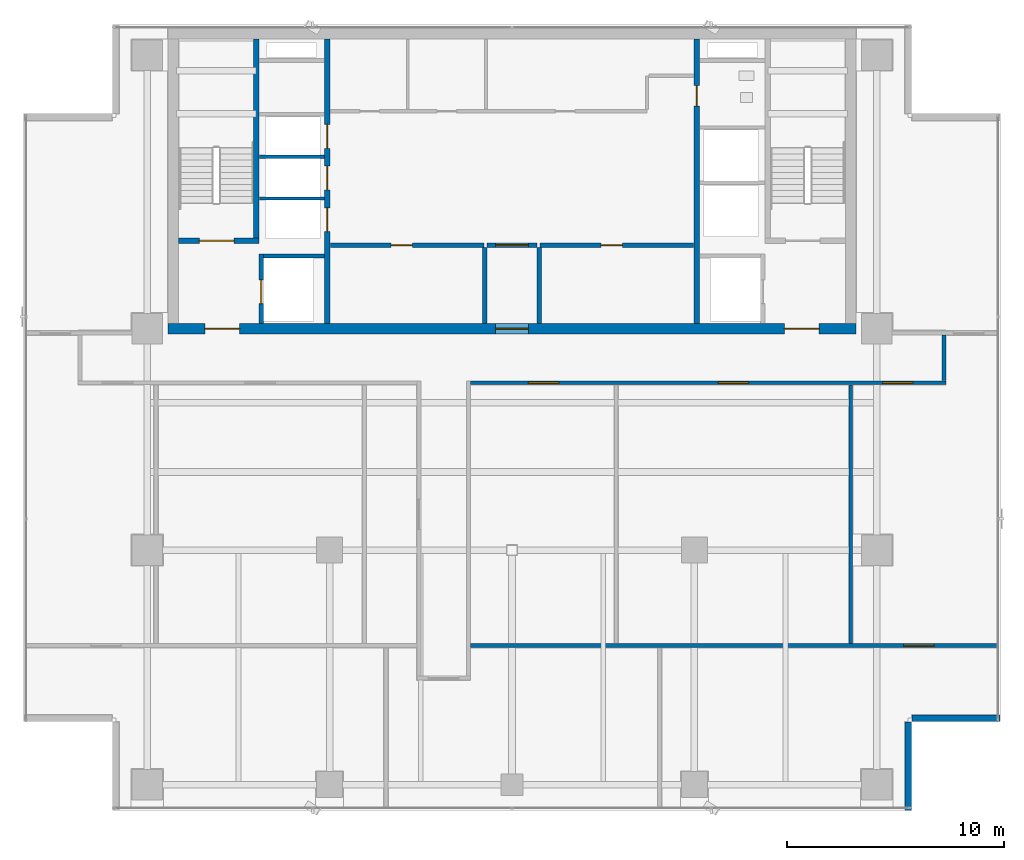
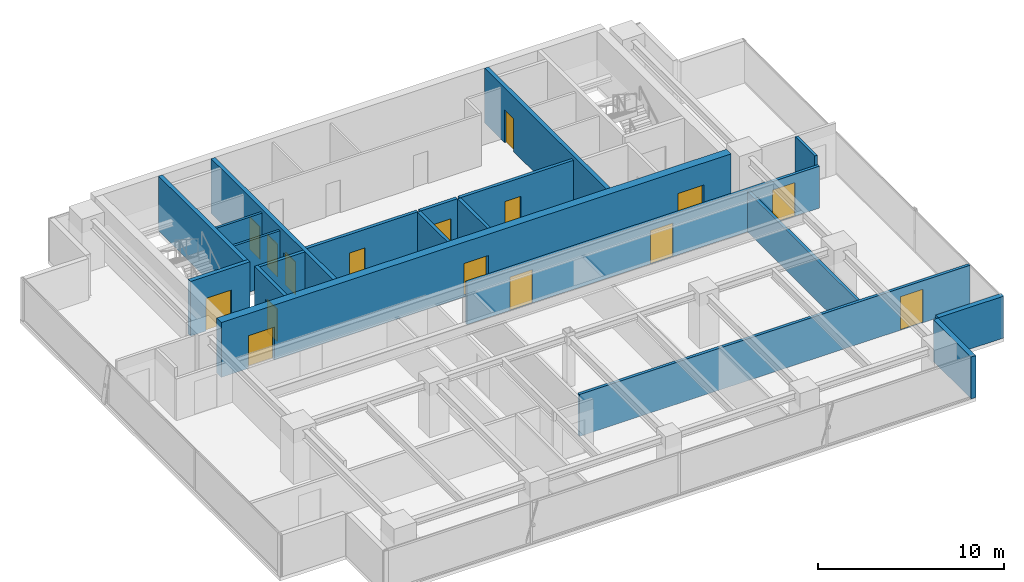
# One storey, part 20 of 26: 20 walls, 16 doors, 16 openings.
"""IFC4 building model written with IfcOpenShell, lengths in metres."""

from ifc_helpers import new_model, si_unit, direction, frame, frame_2d, origin, place, context, subcontext, project, spatial, rectangle, extrude, source, transform, mapped, material, layer, layer_set, type_object, element, fill, save


model = new_model("IFC4")

# Units and contexts
model_context = context("Model", 3, precision=1e-05, world=origin(), true_north=direction((0.0, 1.0)))
body_context = subcontext(model_context, "Body", "Model", "MODEL_VIEW")
ifc_project = project(units=[si_unit("LENGTHUNIT", "METRE"), si_unit("AREAUNIT", "SQUARE_METRE"), si_unit("VOLUMEUNIT", "CUBIC_METRE"), si_unit("PLANEANGLEUNIT", "RADIAN"), si_unit("MASSUNIT", "GRAM", prefix="KILO")], contexts=[model_context])

# Site, building, storey
site_placement = place(None, origin())
site = spatial("IfcSite", under=ifc_project, at=site_placement, CompositionType="ELEMENT")
building_placement = place(site_placement, origin())
building = spatial("IfcBuilding", under=site, at=building_placement, Name="Sumidabori Civic Tower", CompositionType="ELEMENT")
storey_placement = place(building_placement, frame((0.0, 0.0, 264.800048828125)))
storey = spatial("IfcBuildingStorey", under=building, at=storey_placement, Name="L69", CompositionType="ELEMENT", Elevation=264.800048828125)

# Wall
ifc_material_1 = material(Name="Concrete C50/60", Category="concrete")
ifc_layer_1 = layer(ifc_material_1, 0.199951171875, Name="Concrete C50/60")
ifc_layer_set_1 = layer_set([ifc_layer_1], Name="Concrete C50/60")
wall_type_1 = type_object("IfcWallType", Name="WL-SHAFT-200", PredefinedType="SHEAR", material=ifc_layer_set_1)
shared_shape_1 = source(origin(), body_context, "Body", "SweptSolid", [
    extrude(rectangle(XDim=2.824951171875, YDim=0.199951171875, at=frame_2d((1.41259765625, 0.0))), origin(), (0.0, 0.0, 1.0), 3.599853515625),
])
wall_1_placement = place(storey_placement, frame((-11.449951171875, 13.550048828125, 0.0), z_axis=(0.0, 0.0, 1.0), x_axis=(1.0, 0.0, 0.0)))
element("IfcWall", 1, at=wall_1_placement, inside=storey, type_object=wall_type_1, Name="Core Shear Wall L69 EL1-N", PredefinedType="SHEAR", context=body_context, shape_type="MappedRepresentation", body=[
    mapped(shared_shape_1, transform((0.0, 0.0, 0.0), x_axis=(1.0, 0.0, 0.0), y_axis=(0.0, 1.0, 0.0), z_axis=(0.0, 0.0, 1.0), scale=1.0)),
])

# Wall, openings, doors
ifc_layer_2 = layer(ifc_material_1, 0.5, Name="Concrete C50/60")
ifc_layer_set_2 = layer_set([ifc_layer_2], Name="Concrete C50/60")
wall_type_2 = type_object("IfcWallType", Name="WL-CORE-500", PredefinedType="SHEAR", material=ifc_layer_set_2)
shared_shape_2 = source(origin(), body_context, "Body", "SweptSolid", [
    extrude(rectangle(XDim=31.7001953125, YDim=0.5, at=frame_2d((15.85009765625, 0.0))), origin(), (0.0, 0.0, 1.0), 3.599853515625),
])
wall_2_placement = place(storey_placement, frame((-15.85009765625, 10.199951171875, 0.0), z_axis=(0.0, 0.0, 1.0), x_axis=(1.0, 0.0, 0.0)))
wall_2 = element("IfcWall", 2, at=wall_2_placement, inside=storey, type_object=wall_type_2, Name="Core Shear Wall L69 S", PredefinedType="SHEAR", context=body_context, shape_type="MappedRepresentation", body=[
    mapped(shared_shape_2, transform((0.0, 0.0, 0.0), x_axis=(1.0, 0.0, 0.0), y_axis=(0.0, 1.0, 0.0), z_axis=(0.0, 0.0, 1.0), scale=1.0)),
])
opening_1_placement = place(wall_2_placement, frame((1.699951171875, 0.0, 0.0)))
opening_1 = element("IfcOpeningElement", 3, at=opening_1_placement, cuts=wall_2, Name="Opening DR-FD4", PredefinedType="OPENING", context=body_context, shape_type="SweptSolid", body=[
    extrude(rectangle(XDim=1.60009765625, YDim=2.14990234375, at=frame_2d((0.800048828125, 1.074951171875))), frame((0.0, 0.261962890625, 0.0), z_axis=(0.0, -1.0, 0.0), x_axis=(1.0, 0.0, 0.0)), (0.0, 0.0, 1.0), 0.52392578125),
])
opening_2_placement = place(wall_2_placement, frame((28.39990234375, 0.0, 0.0)))
opening_2 = element("IfcOpeningElement", 4, at=opening_2_placement, cuts=wall_2, Name="Opening DR-FD4", PredefinedType="OPENING", context=body_context, shape_type="SweptSolid", body=[
    extrude(rectangle(XDim=1.60009765625, YDim=2.14990234375, at=frame_2d((0.800048828125, 1.074951171875))), frame((0.0, 0.261962890625, 0.0), z_axis=(0.0, -1.0, 0.0), x_axis=(1.0, 0.0, 0.0)), (0.0, 0.0, 1.0), 0.52392578125),
])
opening_3_placement = place(wall_2_placement, frame((15.10009765625, 0.0, 0.0)))
opening_3 = element("IfcOpeningElement", 5, at=opening_3_placement, cuts=wall_2, Name="Opening DR-FD3", PredefinedType="OPENING", context=body_context, shape_type="SweptSolid", body=[
    extrude(rectangle(XDim=1.5, YDim=2.199951171875, at=frame_2d((0.75, 1.10009765625))), frame((0.0, 0.261962890625, 0.0), z_axis=(0.0, -1.0, 0.0), x_axis=(1.0, 0.0, 0.0)), (0.0, 0.0, 1.0), 0.52392578125),
])
ifc_material_2 = material(Name="Steel SN490", Category="steel")
door_type_1 = type_object("IfcDoorType", Name="DR-FD4", OperationType="DOUBLE_DOOR_SINGLE_SWING", PredefinedType="DOOR", material=ifc_material_2)
shared_shape_3 = source(origin(), body_context, "Body", "SweptSolid", [
    extrude(rectangle(XDim=1.60009765625, YDim=2.14990234375, at=frame_2d((0.800048828125, 1.074951171875))), frame((0.0, 0.02490234375, 0.0), z_axis=(0.0, -1.0, 0.0), x_axis=(1.0, 0.0, 0.0)), (0.0, 0.0, 1.0), 0.050048828125),
])
door_1_placement = place(opening_1_placement, origin())
door_1 = element("IfcDoor", 6, at=door_1_placement, inside=storey, type_object=door_type_1, Name="Door DR:L69:ELOB-W", OperationType="DOUBLE_DOOR_SINGLE_SWING", OverallHeight=2.14990234375, OverallWidth=1.60009765625, PredefinedType="DOOR", context=body_context, shape_type="MappedRepresentation", body=[
    mapped(shared_shape_3, transform((0.0, 0.0, 0.0), x_axis=(1.0, 0.0, 0.0), y_axis=(0.0, 1.0, 0.0), z_axis=(0.0, 0.0, 1.0), scale=1.0)),
])
fill(opening_1, door_1)
door_2_placement = place(opening_2_placement, origin())
door_2 = element("IfcDoor", 7, at=door_2_placement, inside=storey, type_object=door_type_1, Name="Door DR:L69:ELOB-E", OperationType="DOUBLE_DOOR_SINGLE_SWING", OverallHeight=2.14990234375, OverallWidth=1.60009765625, PredefinedType="DOOR", context=body_context, shape_type="MappedRepresentation", body=[
    mapped(shared_shape_3, transform((0.0, 0.0, 0.0), x_axis=(1.0, 0.0, 0.0), y_axis=(0.0, 1.0, 0.0), z_axis=(0.0, 0.0, 1.0), scale=1.0)),
])
fill(opening_2, door_2)
door_type_2 = type_object("IfcDoorType", Name="DR-FD-DBL", OperationType="DOUBLE_DOOR_SINGLE_SWING", PredefinedType="DOOR", material=ifc_material_2)
shared_shape_4 = source(origin(), body_context, "Body", "SweptSolid", [
    extrude(rectangle(XDim=1.5, YDim=2.199951171875, at=frame_2d((0.75, 1.10009765625))), frame((0.0, 0.02490234375, 0.0), z_axis=(0.0, -1.0, 0.0), x_axis=(1.0, 0.0, 0.0)), (0.0, 0.0, 1.0), 0.050048828125),
])
door_3_placement = place(opening_3_placement, origin())
door_3 = element("IfcDoor", 8, at=door_3_placement, inside=storey, type_object=door_type_2, Name="Door DR:L69:THROAT-OUT", OperationType="DOUBLE_DOOR_SINGLE_SWING", OverallHeight=2.199951171875, OverallWidth=1.5, PredefinedType="DOOR", context=body_context, shape_type="MappedRepresentation", body=[
    mapped(shared_shape_4, transform((0.0, 0.0, 0.0), x_axis=(1.0, 0.0, 0.0), y_axis=(0.0, 1.0, 0.0), z_axis=(0.0, 0.0, 1.0), scale=1.0)),
])
fill(opening_3, door_3)

ifc_layer_3 = layer(ifc_material_1, 0.25, Name="Concrete C50/60")
ifc_layer_set_3 = layer_set([ifc_layer_3], Name="Concrete C50/60")
wall_type_3 = type_object("IfcWallType", Name="WL-SHAFT-250", PredefinedType="SHEAR", material=ifc_layer_set_3)
shared_shape_5 = source(origin(), body_context, "Body", "SweptSolid", [
    extrude(rectangle(XDim=13.10009765625, YDim=0.25, at=frame_2d((6.550048828125, 0.0))), origin(), (0.0, 0.0, 1.0), 3.599853515625),
])
wall_3_placement = place(storey_placement, frame((-8.5, 10.449951171875, 0.0), z_axis=(0.0, 0.0, 1.0), x_axis=(0.0, 1.0, 0.0)))
wall_3 = element("IfcWall", 9, at=wall_3_placement, inside=storey, type_object=wall_type_3, Name="Core Shear Wall L69 WEB-W", PredefinedType="SHEAR", context=body_context, shape_type="MappedRepresentation", body=[
    mapped(shared_shape_5, transform((0.0, 0.0, 0.0), x_axis=(1.0, 0.0, 0.0), y_axis=(0.0, 1.0, 0.0), z_axis=(0.0, 0.0, 1.0), scale=1.0)),
])
opening_4_placement = place(wall_3_placement, frame((4.219970703125, 0.0, 0.0)))
opening_4 = element("IfcOpeningElement", 10, at=opening_4_placement, cuts=wall_3, Name="Opening LD-1", PredefinedType="OPENING", context=body_context, shape_type="SweptSolid", body=[
    extrude(rectangle(XDim=1.10009765625, YDim=2.14990234375, at=frame_2d((0.550048828125, 1.074951171875))), frame((0.0, 0.136962890625, 0.0), z_axis=(0.0, -1.0, 0.0), x_axis=(1.0, 0.0, 0.0)), (0.0, 0.0, 1.0), 0.27392578125),
])
opening_5_placement = place(wall_3_placement, frame((6.139892578125, 0.0, 0.0)))
opening_5 = element("IfcOpeningElement", 11, at=opening_5_placement, cuts=wall_3, Name="Opening LD-1", PredefinedType="OPENING", context=body_context, shape_type="SweptSolid", body=[
    extrude(rectangle(XDim=1.10009765625, YDim=2.14990234375, at=frame_2d((0.550048828125, 1.074951171875))), frame((0.0, 0.136962890625, 0.0), z_axis=(0.0, -1.0, 0.0), x_axis=(1.0, 0.0, 0.0)), (0.0, 0.0, 1.0), 0.27392578125),
])
opening_6_placement = place(wall_3_placement, frame((8.06005859375, 0.0, 0.0)))
opening_6 = element("IfcOpeningElement", 12, at=opening_6_placement, cuts=wall_3, Name="Opening LD-1", PredefinedType="OPENING", context=body_context, shape_type="SweptSolid", body=[
    extrude(rectangle(XDim=1.10009765625, YDim=2.14990234375, at=frame_2d((0.550048828125, 1.074951171875))), frame((0.0, 0.136962890625, 0.0), z_axis=(0.0, -1.0, 0.0), x_axis=(1.0, 0.0, 0.0)), (0.0, 0.0, 1.0), 0.27392578125),
])
ifc_material_3 = material(Name="Stainless Steel Hairline Finish", Category="steel")
door_type_3 = type_object("IfcDoorType", Name="DR-LD1", OperationType="DOUBLE_DOOR_SLIDING", PredefinedType="DOOR", material=ifc_material_3)
shared_shape_6 = source(origin(), body_context, "Body", "SweptSolid", [
    extrude(rectangle(XDim=1.10009765625, YDim=2.14990234375, at=frame_2d((0.550048828125, 1.074951171875))), frame((0.0, 0.02490234375, 0.0), z_axis=(0.0, -1.0, 0.0), x_axis=(1.0, 0.0, 0.0)), (0.0, 0.0, 1.0), 0.050048828125),
])
door_4_placement = place(opening_4_placement, origin())
door_4 = element("IfcDoor", 13, at=door_4_placement, inside=storey, type_object=door_type_3, Name="Door DR:L69:LD-PLH1", OperationType="DOUBLE_DOOR_SLIDING", OverallHeight=2.14990234375, OverallWidth=1.10009765625, PredefinedType="DOOR", context=body_context, shape_type="MappedRepresentation", body=[
    mapped(shared_shape_6, transform((0.0, 0.0, 0.0), x_axis=(1.0, 0.0, 0.0), y_axis=(0.0, 1.0, 0.0), z_axis=(0.0, 0.0, 1.0), scale=1.0)),
])
fill(opening_4, door_4)
door_5_placement = place(opening_5_placement, origin())
door_5 = element("IfcDoor", 14, at=door_5_placement, inside=storey, type_object=door_type_3, Name="Door DR:L69:LD-PLH2", OperationType="DOUBLE_DOOR_SLIDING", OverallHeight=2.14990234375, OverallWidth=1.10009765625, PredefinedType="DOOR", context=body_context, shape_type="MappedRepresentation", body=[
    mapped(shared_shape_6, transform((0.0, 0.0, 0.0), x_axis=(1.0, 0.0, 0.0), y_axis=(0.0, 1.0, 0.0), z_axis=(0.0, 0.0, 1.0), scale=1.0)),
])
fill(opening_5, door_5)
door_6_placement = place(opening_6_placement, origin())
door_6 = element("IfcDoor", 15, at=door_6_placement, inside=storey, type_object=door_type_3, Name="Door DR:L69:LD-PLH3", OperationType="DOUBLE_DOOR_SLIDING", OverallHeight=2.14990234375, OverallWidth=1.10009765625, PredefinedType="DOOR", context=body_context, shape_type="MappedRepresentation", body=[
    mapped(shared_shape_6, transform((0.0, 0.0, 0.0), x_axis=(1.0, 0.0, 0.0), y_axis=(0.0, 1.0, 0.0), z_axis=(0.0, 0.0, 1.0), scale=1.0)),
])
fill(opening_6, door_6)

# Wall, opening, door
wall_4_placement = place(storey_placement, frame((8.5, 10.449951171875, 0.0), z_axis=(0.0, 0.0, 1.0), x_axis=(0.0, 1.0, 0.0)))
wall_4 = element("IfcWall", 16, at=wall_4_placement, inside=storey, type_object=wall_type_3, Name="Core Shear Wall L69 WEB-E", PredefinedType="SHEAR", context=body_context, shape_type="MappedRepresentation", body=[
    mapped(shared_shape_5, transform((0.0, 0.0, 0.0), x_axis=(1.0, 0.0, 0.0), y_axis=(0.0, 1.0, 0.0), z_axis=(0.0, 0.0, 1.0), scale=1.0)),
])
opening_7_placement = place(wall_4_placement, frame((10.0, 0.0, 0.0)))
opening_7 = element("IfcOpeningElement", 17, at=opening_7_placement, cuts=wall_4, Name="Opening DR-2", PredefinedType="OPENING", context=body_context, shape_type="SweptSolid", body=[
    extrude(rectangle(XDim=0.949951171875, YDim=2.14990234375, at=frame_2d((0.47509765625, 1.074951171875))), frame((0.0, 0.136962890625, 0.0), z_axis=(0.0, -1.0, 0.0), x_axis=(1.0, 0.0, 0.0)), (0.0, 0.0, 1.0), 0.27392578125),
])
ifc_material_4 = material(Name="Japanese Hinoki Timber", Category="wood")
door_type_4 = type_object("IfcDoorType", Name="DR-INT-950", OperationType="NOTDEFINED", PredefinedType="DOOR", material=ifc_material_4)
shared_shape_7 = source(origin(), body_context, "Body", "SweptSolid", [
    extrude(rectangle(XDim=0.949951171875, YDim=2.14990234375, at=frame_2d((0.47509765625, 1.074951171875))), frame((0.0, 0.02490234375, 0.0), z_axis=(0.0, -1.0, 0.0), x_axis=(1.0, 0.0, 0.0)), (0.0, 0.0, 1.0), 0.050048828125),
])
door_7_placement = place(opening_7_placement, origin())
door_7 = element("IfcDoor", 18, at=door_7_placement, inside=storey, type_object=door_type_4, Name="Door DR:L69:WC-ACC", OperationType="SINGLE_SWING_RIGHT", OverallHeight=2.14990234375, OverallWidth=0.949951171875, PredefinedType="DOOR", context=body_context, shape_type="MappedRepresentation", body=[
    mapped(shared_shape_7, transform((0.0, 0.0, 0.0), x_axis=(1.0, 0.0, 0.0), y_axis=(0.0, 1.0, 0.0), z_axis=(0.0, 0.0, 1.0), scale=1.0)),
])
fill(opening_7, door_7)

shared_shape_8 = source(origin(), body_context, "Body", "SweptSolid", [
    extrude(rectangle(XDim=3.705078125, YDim=0.25, at=frame_2d((1.8525390625, 0.0))), origin(), (0.0, 0.0, 1.0), 3.599853515625),
])
wall_5_placement = place(storey_placement, frame((-15.35009765625, 14.25, 0.0), z_axis=(0.0, 0.0, 1.0), x_axis=(1.0, 0.0, 0.0)))
wall_5 = element("IfcWall", 19, at=wall_5_placement, inside=storey, type_object=wall_type_3, Name="Core Shear Wall L69 ST1-S", PredefinedType="SHEAR", context=body_context, shape_type="MappedRepresentation", body=[
    mapped(shared_shape_8, transform((0.0, 0.0, 0.0), x_axis=(1.0, 0.0, 0.0), y_axis=(0.0, 1.0, 0.0), z_axis=(0.0, 0.0, 1.0), scale=1.0)),
])
opening_8_placement = place(wall_5_placement, frame((0.949951171875, 0.0, 0.0)))
opening_8 = element("IfcOpeningElement", 20, at=opening_8_placement, cuts=wall_5, Name="Opening DR-FD4", PredefinedType="OPENING", context=body_context, shape_type="SweptSolid", body=[
    extrude(rectangle(XDim=1.60009765625, YDim=2.14990234375, at=frame_2d((0.800048828125, 1.074951171875))), frame((0.0, 0.136962890625, 0.0), z_axis=(0.0, -1.0, 0.0), x_axis=(1.0, 0.0, 0.0)), (0.0, 0.0, 1.0), 0.27392578125),
])
door_8_placement = place(opening_8_placement, origin())
door_8 = element("IfcDoor", 21, at=door_8_placement, inside=storey, type_object=door_type_1, Name="Door DR:L69:ST1", OperationType="DOUBLE_DOOR_SINGLE_SWING", OverallHeight=2.14990234375, OverallWidth=1.60009765625, PredefinedType="DOOR", context=body_context, shape_type="MappedRepresentation", body=[
    mapped(shared_shape_3, transform((0.0, 0.0, 0.0), x_axis=(1.0, 0.0, 0.0), y_axis=(0.0, 1.0, 0.0), z_axis=(0.0, 0.0, 1.0), scale=1.0)),
])
fill(opening_8, door_8)

# Wall
shared_shape_9 = source(origin(), body_context, "Body", "SweptSolid", [
    extrude(rectangle(XDim=9.175048828125, YDim=0.25, at=frame_2d((4.58740234375, 0.0))), origin(), (0.0, 0.0, 1.0), 3.599853515625),
])
wall_6_placement = place(storey_placement, frame((-11.77001953125, 14.375, 0.0), z_axis=(0.0, 0.0, 1.0), x_axis=(0.0, 1.0, 0.0)))
element("IfcWall", 22, at=wall_6_placement, inside=storey, type_object=wall_type_3, Name="Core Shear Wall L69 ST1-E", PredefinedType="SHEAR", context=body_context, shape_type="MappedRepresentation", body=[
    mapped(shared_shape_9, transform((0.0, 0.0, 0.0), x_axis=(1.0, 0.0, 0.0), y_axis=(0.0, 1.0, 0.0), z_axis=(0.0, 0.0, 1.0), scale=1.0)),
])

# Wall, opening, door
shared_shape_10 = source(origin(), body_context, "Body", "SweptSolid", [
    extrude(rectangle(XDim=3.199951171875, YDim=0.199951171875, at=frame_2d((1.60009765625, 0.0))), origin(), (0.0, 0.0, 1.0), 3.599853515625),
])
wall_7_placement = place(storey_placement, frame((-11.550048828125, 10.449951171875, 0.0), z_axis=(0.0, 0.0, 1.0), x_axis=(0.0, 1.0, 0.0)))
wall_7 = element("IfcWall", 23, at=wall_7_placement, inside=storey, type_object=wall_type_1, Name="Core Shear Wall L69 EL1-W", PredefinedType="SHEAR", context=body_context, shape_type="MappedRepresentation", body=[
    mapped(shared_shape_10, transform((0.0, 0.0, 0.0), x_axis=(1.0, 0.0, 0.0), y_axis=(0.0, 1.0, 0.0), z_axis=(0.0, 0.0, 1.0), scale=1.0)),
])
opening_9_placement = place(wall_7_placement, frame((0.89990234375, 0.0, 0.0)))
opening_9 = element("IfcOpeningElement", 24, at=opening_9_placement, cuts=wall_7, Name="Opening LD-2", PredefinedType="OPENING", context=body_context, shape_type="SweptSolid", body=[
    extrude(rectangle(XDim=1.10009765625, YDim=2.14990234375, at=frame_2d((0.550048828125, 1.074951171875))), frame((0.0, 0.11181640625, 0.0), z_axis=(0.0, -1.0, 0.0), x_axis=(1.0, 0.0, 0.0)), (0.0, 0.0, 1.0), 0.223876953125),
])
door_type_5 = type_object("IfcDoorType", Name="DR-LD2", OperationType="DOUBLE_DOOR_SLIDING", PredefinedType="DOOR", material=ifc_material_3)
door_9_placement = place(opening_9_placement, origin())
door_9 = element("IfcDoor", 25, at=door_9_placement, inside=storey, type_object=door_type_5, Name="Door DR:L69:LD-EL1", OperationType="DOUBLE_DOOR_SLIDING", OverallHeight=2.14990234375, OverallWidth=1.10009765625, PredefinedType="DOOR", context=body_context, shape_type="MappedRepresentation", body=[
    mapped(shared_shape_6, transform((0.0, 0.0, 0.0), x_axis=(1.0, 0.0, 0.0), y_axis=(0.0, 1.0, 0.0), z_axis=(0.0, 0.0, 1.0), scale=1.0)),
])
fill(opening_9, door_9)

# Walls
ifc_material_5 = material(Name="Precast concrete C40/50", Category="concrete")
ifc_layer_4 = layer(ifc_material_5, 0.300048828125, Name="Precast concrete C40/50")
ifc_layer_set_4 = layer_set([ifc_layer_4], Name="Precast concrete C40/50")
wall_type_4 = type_object("IfcWallType", Name="WL-EXT-POD300", PredefinedType="STANDARD", material=ifc_layer_set_4)
shared_shape_11 = source(origin(), body_context, "Body", "SweptSolid", [
    extrude(rectangle(XDim=4.06005859375, YDim=0.300048828125, at=frame_2d((2.030029296875, 0.0))), origin(), (0.0, 0.0, 1.0), 2.75),
])
for number, where, z_axis, x_axis, name in (
    (26, (18.25, -11.97998046875, 0.0), (0.0, 0.0, 1.0), (0.0, 1.0, 0.0), "Notched Corner Spandrel Band L69-02"),
    (27, (18.419921875, -7.75, 0.0), (0.0, 0.0, 1.0), (1.0, 0.0, 0.0), "Notched Corner Spandrel Band L69-03"),
):
    element("IfcWall", number, at=place(storey_placement, frame(where, z_axis=z_axis, x_axis=x_axis)), inside=storey, type_object=wall_type_4, Name=name, PredefinedType="STANDARD", context=body_context, shape_type="MappedRepresentation", body=[
        mapped(shared_shape_11, transform((0.0, 0.0, 0.0), x_axis=(1.0, 0.0, 0.0), y_axis=(0.0, 1.0, 0.0), z_axis=(0.0, 0.0, 1.0), scale=1.0)),
    ])
ifc_material_6 = material(Name="Gypsum Plasterboard Acoustic Partition")
ifc_layer_5 = layer(ifc_material_6, 0.14990234375, Name="Gypsum Plasterboard Acoustic Partition")
ifc_layer_set_5 = layer_set([ifc_layer_5], Name="Gypsum Plasterboard Acoustic Partition")
wall_type_5 = type_object("IfcWallType", Name="WL-PART-150", PredefinedType="PARTITIONING", material=ifc_layer_set_5)
shared_shape_12 = source(origin(), body_context, "Body", "SweptSolid", [
    extrude(rectangle(XDim=3.010009765625, YDim=0.14990234375, at=frame_2d((1.5048828125, 0.0))), origin(), (0.0, 0.0, 1.0), 3.369873046875),
])
for number, where, z_axis, x_axis, name in (
    (28, (-11.639892578125, 16.199951171875, 0.0), (0.0, 0.0, 1.0), (1.0, 0.0, 0.0), "Interior Partition WL:L69:DIV-PLH1"),
    (29, (-11.639892578125, 18.1201171875, 0.0), (0.0, 0.0, 1.0), (1.0, 0.0, 0.0), "Interior Partition WL:L69:DIV-PLH2"),
):
    element("IfcWall", number, at=place(storey_placement, frame(where, z_axis=z_axis, x_axis=x_axis)), inside=storey, type_object=wall_type_5, Name=name, PredefinedType="PARTITIONING", context=body_context, shape_type="MappedRepresentation", body=[
        mapped(shared_shape_12, transform((0.0, 0.0, 0.0), x_axis=(1.0, 0.0, 0.0), y_axis=(0.0, 1.0, 0.0), z_axis=(0.0, 0.0, 1.0), scale=1.0)),
    ])

# Wall, opening, door
ifc_material_7 = material(Name="Gypsum Plasterboard Fire Partition")
ifc_layer_6 = layer(ifc_material_7, 0.199951171875, Name="Gypsum Plasterboard Fire Partition")
ifc_layer_set_6 = layer_set([ifc_layer_6], Name="Gypsum Plasterboard Fire Partition")
wall_type_6 = type_object("IfcWallType", Name="WL-PART-FIRE", PredefinedType="PARTITIONING", material=ifc_layer_set_6)
shared_shape_13 = source(origin(), body_context, "Body", "SweptSolid", [
    extrude(rectangle(XDim=7.070068359375, YDim=0.199951171875, at=frame_2d((3.53515625, 0.0))), origin(), (0.0, 0.0, 1.0), 3.369873046875),
])
wall_8_placement = place(storey_placement, frame((-8.3701171875, 14.050048828125, 0.0), z_axis=(0.0, 0.0, 1.0), x_axis=(1.0, 0.0, 0.0)))
wall_8 = element("IfcWall", 30, at=wall_8_placement, inside=storey, type_object=wall_type_6, Name="Interior Partition WL:L69:CBAND-SW", PredefinedType="PARTITIONING", context=body_context, shape_type="MappedRepresentation", body=[
    mapped(shared_shape_13, transform((0.0, 0.0, 0.0), x_axis=(1.0, 0.0, 0.0), y_axis=(0.0, 1.0, 0.0), z_axis=(0.0, 0.0, 1.0), scale=1.0)),
])
opening_10_placement = place(wall_8_placement, frame((2.800048828125, 0.0, 0.0)))
opening_10 = element("IfcOpeningElement", 31, at=opening_10_placement, cuts=wall_8, Name="Opening DR-3", PredefinedType="OPENING", context=body_context, shape_type="SweptSolid", body=[
    extrude(rectangle(XDim=0.97998046875, YDim=2.14990234375, at=frame_2d((0.489990234375, 1.074951171875))), frame((0.0, 0.11181640625, 0.0), z_axis=(0.0, -1.0, 0.0), x_axis=(1.0, 0.0, 0.0)), (0.0, 0.0, 1.0), 0.223876953125),
])
door_type_6 = type_object("IfcDoorType", Name="DR-INT-980", OperationType="NOTDEFINED", PredefinedType="DOOR", material=ifc_material_4)
shared_shape_14 = source(origin(), body_context, "Body", "SweptSolid", [
    extrude(rectangle(XDim=0.97998046875, YDim=2.14990234375, at=frame_2d((0.489990234375, 1.074951171875))), frame((0.0, 0.02490234375, 0.0), z_axis=(0.0, -1.0, 0.0), x_axis=(1.0, 0.0, 0.0)), (0.0, 0.0, 1.0), 0.050048828125),
])
door_10_placement = place(opening_10_placement, origin())
door_10 = element("IfcDoor", 32, at=door_10_placement, inside=storey, type_object=door_type_6, Name="Door DR:L69:REC-B1", OperationType="SINGLE_SWING_LEFT", OverallHeight=2.14990234375, OverallWidth=0.97998046875, PredefinedType="DOOR", context=body_context, shape_type="MappedRepresentation", body=[
    mapped(shared_shape_14, transform((0.0, 0.0, 0.0), x_axis=(1.0, 0.0, 0.0), y_axis=(0.0, 1.0, 0.0), z_axis=(0.0, 0.0, 1.0), scale=1.0)),
])
fill(opening_10, door_10)

wall_9_placement = place(storey_placement, frame((1.300048828125, 14.050048828125, 0.0), z_axis=(0.0, 0.0, 1.0), x_axis=(1.0, 0.0, 0.0)))
wall_9 = element("IfcWall", 33, at=wall_9_placement, inside=storey, type_object=wall_type_6, Name="Interior Partition WL:L69:CBAND-SE", PredefinedType="PARTITIONING", context=body_context, shape_type="MappedRepresentation", body=[
    mapped(shared_shape_13, transform((0.0, 0.0, 0.0), x_axis=(1.0, 0.0, 0.0), y_axis=(0.0, 1.0, 0.0), z_axis=(0.0, 0.0, 1.0), scale=1.0)),
])
opening_11_placement = place(wall_9_placement, frame((2.800048828125, 0.0, 0.0)))
opening_11 = element("IfcOpeningElement", 34, at=opening_11_placement, cuts=wall_9, Name="Opening DR-3", PredefinedType="OPENING", context=body_context, shape_type="SweptSolid", body=[
    extrude(rectangle(XDim=0.97998046875, YDim=2.14990234375, at=frame_2d((0.489990234375, 1.074951171875))), frame((0.0, 0.11181640625, 0.0), z_axis=(0.0, -1.0, 0.0), x_axis=(1.0, 0.0, 0.0)), (0.0, 0.0, 1.0), 0.223876953125),
])
door_11_placement = place(opening_11_placement, origin())
door_11 = element("IfcDoor", 35, at=door_11_placement, inside=storey, type_object=door_type_6, Name="Door DR:L69:REC-B2", OperationType="SINGLE_SWING_RIGHT", OverallHeight=2.14990234375, OverallWidth=0.97998046875, PredefinedType="DOOR", context=body_context, shape_type="MappedRepresentation", body=[
    mapped(shared_shape_14, transform((0.0, 0.0, 0.0), x_axis=(1.0, 0.0, 0.0), y_axis=(0.0, 1.0, 0.0), z_axis=(0.0, 0.0, 1.0), scale=1.0)),
])
fill(opening_11, door_11)

# Walls
shared_shape_15 = source(origin(), body_context, "Body", "SweptSolid", [
    extrude(rectangle(XDim=3.489990234375, YDim=0.199951171875, at=frame_2d((1.7451171875, 0.0))), origin(), (0.0, 0.0, 1.0), 3.369873046875),
])
for number, where, z_axis, x_axis, name in (
    (36, (-1.25, 10.449951171875, 0.0), (0.0, 0.0, 1.0), (0.0, 1.0, 0.0), "Interior Partition WL:L69:THROAT-W"),
    (37, (1.25, 10.449951171875, 0.0), (0.0, 0.0, 1.0), (0.0, 1.0, 0.0), "Interior Partition WL:L69:THROAT-E"),
):
    element("IfcWall", number, at=place(storey_placement, frame(where, z_axis=z_axis, x_axis=x_axis)), inside=storey, type_object=wall_type_6, Name=name, PredefinedType="PARTITIONING", context=body_context, shape_type="MappedRepresentation", body=[
        mapped(shared_shape_15, transform((0.0, 0.0, 0.0), x_axis=(1.0, 0.0, 0.0), y_axis=(0.0, 1.0, 0.0), z_axis=(0.0, 0.0, 1.0), scale=1.0)),
    ])

# Wall, opening, door
shared_shape_16 = source(origin(), body_context, "Body", "SweptSolid", [
    extrude(rectangle(XDim=2.2998046875, YDim=0.199951171875, at=frame_2d((1.14990234375, 0.0))), origin(), (0.0, 0.0, 1.0), 3.369873046875),
])
wall_10_placement = place(storey_placement, frame((-1.14990234375, 14.050048828125, 0.0), z_axis=(0.0, 0.0, 1.0), x_axis=(1.0, 0.0, 0.0)))
wall_10 = element("IfcWall", 38, at=wall_10_placement, inside=storey, type_object=wall_type_6, Name="Interior Partition WL:L69:THROAT-N", PredefinedType="PARTITIONING", context=body_context, shape_type="MappedRepresentation", body=[
    mapped(shared_shape_16, transform((0.0, 0.0, 0.0), x_axis=(1.0, 0.0, 0.0), y_axis=(0.0, 1.0, 0.0), z_axis=(0.0, 0.0, 1.0), scale=1.0)),
])
opening_12_placement = place(wall_10_placement, frame((0.39990234375, 0.0, 0.0)))
opening_12 = element("IfcOpeningElement", 39, at=opening_12_placement, cuts=wall_10, Name="Opening DR-FD3", PredefinedType="OPENING", context=body_context, shape_type="SweptSolid", body=[
    extrude(rectangle(XDim=1.5, YDim=2.199951171875, at=frame_2d((0.75, 1.10009765625))), frame((0.0, 0.11181640625, 0.0), z_axis=(0.0, -1.0, 0.0), x_axis=(1.0, 0.0, 0.0)), (0.0, 0.0, 1.0), 0.223876953125),
])
door_12_placement = place(opening_12_placement, origin())
door_12 = element("IfcDoor", 40, at=door_12_placement, inside=storey, type_object=door_type_2, Name="Door DR:L69:THROAT-IN", OperationType="DOUBLE_DOOR_SINGLE_SWING", OverallHeight=2.199951171875, OverallWidth=1.5, PredefinedType="DOOR", context=body_context, shape_type="MappedRepresentation", body=[
    mapped(shared_shape_4, transform((0.0, 0.0, 0.0), x_axis=(1.0, 0.0, 0.0), y_axis=(0.0, 1.0, 0.0), z_axis=(0.0, 0.0, 1.0), scale=1.0)),
])
fill(opening_12, door_12)

# Wall, openings, doors
ifc_layer_7 = layer(ifc_material_6, 0.179931640625, Name="Gypsum Plasterboard Acoustic Partition")
ifc_layer_set_7 = layer_set([ifc_layer_7], Name="Gypsum Plasterboard Acoustic Partition")
wall_type_7 = type_object("IfcWallType", Name="WL-PART-180", PredefinedType="PARTITIONING", material=ifc_layer_set_7)
shared_shape_17 = source(origin(), body_context, "Body", "SweptSolid", [
    extrude(rectangle(XDim=21.89990234375, YDim=0.179931640625, at=frame_2d((10.949951171875, 0.0))), origin(), (0.0, 0.0, 1.0), 2.7548828125),
])
wall_11_placement = place(storey_placement, frame((-1.919921875, 7.7099609375, 0.0), z_axis=(0.0, 0.0, 1.0), x_axis=(1.0, 0.0, 0.0)))
wall_11 = element("IfcWall", 41, at=wall_11_placement, inside=storey, type_object=wall_type_7, Name="Interior Partition WL:L69:CORR-SE", PredefinedType="PARTITIONING", context=body_context, shape_type="MappedRepresentation", body=[
    mapped(shared_shape_17, transform((0.0, 0.0, 0.0), x_axis=(1.0, 0.0, 0.0), y_axis=(0.0, 1.0, 0.0), z_axis=(0.0, 0.0, 1.0), scale=1.0)),
])
opening_13_placement = place(wall_11_placement, frame((18.985107421875, 0.0, 0.0)))
opening_13 = element("IfcOpeningElement", 42, at=opening_13_placement, cuts=wall_11, Name="Opening DR-5", PredefinedType="OPENING", context=body_context, shape_type="SweptSolid", body=[
    extrude(rectangle(XDim=1.39990234375, YDim=2.199951171875, at=frame_2d((0.699951171875, 1.10009765625))), frame((0.0, 0.10205078125, 0.0), z_axis=(0.0, -1.0, 0.0), x_axis=(1.0, 0.0, 0.0)), (0.0, 0.0, 1.0), 0.203857421875),
])
opening_14_placement = place(wall_11_placement, frame((2.675048828125, 0.0, 0.0)))
opening_14 = element("IfcOpeningElement", 43, at=opening_14_placement, cuts=wall_11, Name="Opening DR-5", PredefinedType="OPENING", context=body_context, shape_type="SweptSolid", body=[
    extrude(rectangle(XDim=1.39990234375, YDim=2.199951171875, at=frame_2d((0.699951171875, 1.10009765625))), frame((0.0, 0.10205078125, 0.0), z_axis=(0.0, -1.0, 0.0), x_axis=(1.0, 0.0, 0.0)), (0.0, 0.0, 1.0), 0.203857421875),
])
opening_15_placement = place(wall_11_placement, frame((11.419921875, 0.0, 0.0)))
opening_15 = element("IfcOpeningElement", 44, at=opening_15_placement, cuts=wall_11, Name="Opening DR-5", PredefinedType="OPENING", context=body_context, shape_type="SweptSolid", body=[
    extrude(rectangle(XDim=1.39990234375, YDim=2.199951171875, at=frame_2d((0.699951171875, 1.10009765625))), frame((0.0, 0.10205078125, 0.0), z_axis=(0.0, -1.0, 0.0), x_axis=(1.0, 0.0, 0.0)), (0.0, 0.0, 1.0), 0.203857421875),
])
ifc_material_8 = material(Name="Anodised Bronze Aluminium AW-6063-T6", Category="aluminium")
door_type_7 = type_object("IfcDoorType", Name="DR-DBL-1400", OperationType="DOUBLE_DOOR_SINGLE_SWING", PredefinedType="DOOR", material=ifc_material_8)
shared_shape_18 = source(origin(), body_context, "Body", "SweptSolid", [
    extrude(rectangle(XDim=1.39990234375, YDim=2.199951171875, at=frame_2d((0.699951171875, 1.10009765625))), frame((0.0, 0.02490234375, 0.0), z_axis=(0.0, -1.0, 0.0), x_axis=(1.0, 0.0, 0.0)), (0.0, 0.0, 1.0), 0.050048828125),
])
door_13_placement = place(opening_13_placement, origin())
door_13 = element("IfcDoor", 45, at=door_13_placement, inside=storey, type_object=door_type_7, Name="Door DR:L69:D02", OperationType="DOUBLE_DOOR_SINGLE_SWING", OverallHeight=2.199951171875, OverallWidth=1.39990234375, PredefinedType="DOOR", context=body_context, shape_type="MappedRepresentation", body=[
    mapped(shared_shape_18, transform((0.0, 0.0, 0.0), x_axis=(1.0, 0.0, 0.0), y_axis=(0.0, 1.0, 0.0), z_axis=(0.0, 0.0, 1.0), scale=1.0)),
])
fill(opening_13, door_13)
door_14_placement = place(opening_14_placement, origin())
door_14 = element("IfcDoor", 46, at=door_14_placement, inside=storey, type_object=door_type_7, Name="Door DR:L69:D05", OperationType="DOUBLE_DOOR_SINGLE_SWING", OverallHeight=2.199951171875, OverallWidth=1.39990234375, PredefinedType="DOOR", context=body_context, shape_type="MappedRepresentation", body=[
    mapped(shared_shape_18, transform((0.0, 0.0, 0.0), x_axis=(1.0, 0.0, 0.0), y_axis=(0.0, 1.0, 0.0), z_axis=(0.0, 0.0, 1.0), scale=1.0)),
])
fill(opening_14, door_14)
door_15_placement = place(opening_15_placement, origin())
door_15 = element("IfcDoor", 47, at=door_15_placement, inside=storey, type_object=door_type_7, Name="Door DR:L69:D06", OperationType="DOUBLE_DOOR_SINGLE_SWING", OverallHeight=2.199951171875, OverallWidth=1.39990234375, PredefinedType="DOOR", context=body_context, shape_type="MappedRepresentation", body=[
    mapped(shared_shape_18, transform((0.0, 0.0, 0.0), x_axis=(1.0, 0.0, 0.0), y_axis=(0.0, 1.0, 0.0), z_axis=(0.0, 0.0, 1.0), scale=1.0)),
])
fill(opening_15, door_15)

# Wall
shared_shape_19 = source(origin(), body_context, "Body", "SweptSolid", [
    extrude(rectangle(XDim=2.10009765625, YDim=0.179931640625, at=frame_2d((1.050048828125, 0.0))), origin(), (0.0, 0.0, 1.0), 3.369873046875),
])
wall_12_placement = place(storey_placement, frame((19.889892578125, 7.804931640625, 0.0), z_axis=(0.0, 0.0, 1.0), x_axis=(0.0, 1.0, 0.0)))
element("IfcWall", 48, at=wall_12_placement, inside=storey, type_object=wall_type_7, Name="Interior Partition WL:L69:CORR-VNE", PredefinedType="PARTITIONING", context=body_context, shape_type="MappedRepresentation", body=[
    mapped(shared_shape_19, transform((0.0, 0.0, 0.0), x_axis=(1.0, 0.0, 0.0), y_axis=(0.0, 1.0, 0.0), z_axis=(0.0, 0.0, 1.0), scale=1.0)),
])

# Wall, opening, door
shared_shape_20 = source(origin(), body_context, "Body", "SweptSolid", [
    extrude(rectangle(XDim=24.26513671875, YDim=0.179931640625, at=frame_2d((12.132568359375, 0.0))), origin(), (0.0, 0.0, 1.0), 2.7548828125),
])
wall_13_placement = place(storey_placement, frame((-1.9150390625, -4.39990234375, 0.0), z_axis=(0.0, 0.0, 1.0), x_axis=(1.0, 0.0, 0.0)))
wall_13 = element("IfcWall", 49, at=wall_13_placement, inside=storey, type_object=wall_type_7, Name="Interior Partition WL:L69:BAND-Y-2", PredefinedType="PARTITIONING", context=body_context, shape_type="MappedRepresentation", body=[
    mapped(shared_shape_20, transform((0.0, 0.0, 0.0), x_axis=(1.0, 0.0, 0.0), y_axis=(0.0, 1.0, 0.0), z_axis=(0.0, 0.0, 1.0), scale=1.0)),
])
opening_16_placement = place(wall_13_placement, frame((19.955078125, 0.0, 0.0)))
opening_16 = element("IfcOpeningElement", 50, at=opening_16_placement, cuts=wall_13, Name="Opening DR-5", PredefinedType="OPENING", context=body_context, shape_type="SweptSolid", body=[
    extrude(rectangle(XDim=1.39990234375, YDim=2.199951171875, at=frame_2d((0.699951171875, 1.10009765625))), frame((0.0, 0.10205078125, 0.0), z_axis=(0.0, -1.0, 0.0), x_axis=(1.0, 0.0, 0.0)), (0.0, 0.0, 1.0), 0.203857421875),
])
door_16_placement = place(opening_16_placement, origin())
door_16 = element("IfcDoor", 51, at=door_16_placement, inside=storey, type_object=door_type_7, Name="Door DR:L69:D11", OperationType="DOUBLE_DOOR_SINGLE_SWING", OverallHeight=2.199951171875, OverallWidth=1.39990234375, PredefinedType="DOOR", context=body_context, shape_type="MappedRepresentation", body=[
    mapped(shared_shape_18, transform((0.0, 0.0, 0.0), x_axis=(1.0, 0.0, 0.0), y_axis=(0.0, 1.0, 0.0), z_axis=(0.0, 0.0, 1.0), scale=1.0)),
])
fill(opening_16, door_16)

# Wall
shared_shape_21 = source(origin(), body_context, "Body", "SweptSolid", [
    extrude(rectangle(XDim=11.919921875, YDim=0.179931640625, at=frame_2d((5.9599609375, 0.0))), origin(), (0.0, 0.0, 1.0), 2.655029296875),
])
wall_14_placement = place(storey_placement, frame((15.60009765625, -4.304931640625, 0.0), z_axis=(0.0, 0.0, 1.0), x_axis=(0.0, 1.0, 0.0)))
element("IfcWall", 52, at=wall_14_placement, inside=storey, type_object=wall_type_7, Name="Interior Partition WL:L69:VX-N4", PredefinedType="PARTITIONING", context=body_context, shape_type="MappedRepresentation", body=[
    mapped(shared_shape_21, transform((0.0, 0.0, 0.0), x_axis=(1.0, 0.0, 0.0), y_axis=(0.0, 1.0, 0.0), z_axis=(0.0, 0.0, 1.0), scale=1.0)),
])

save(model, "model.ifc")
